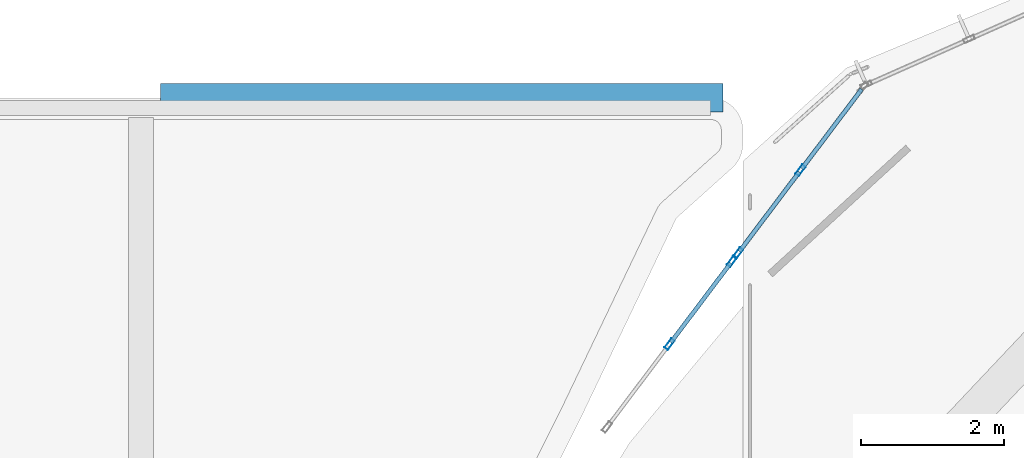
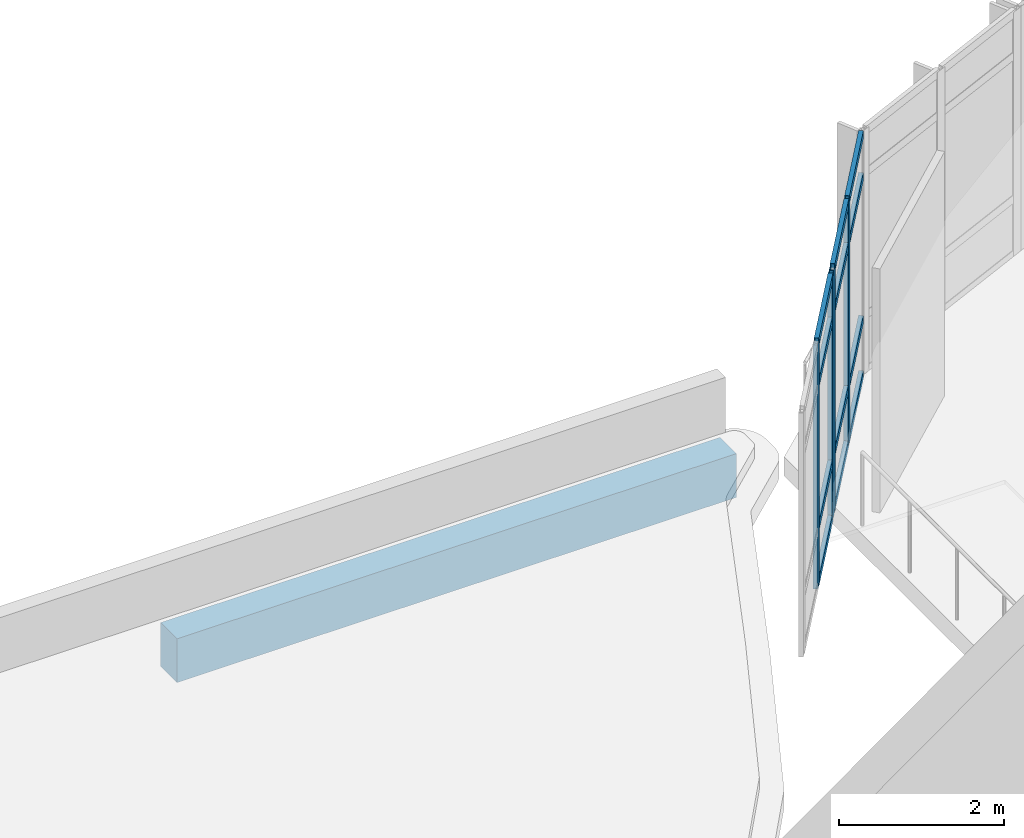
# One storey, part 37 of 74: 16 members, 1 beam, 2 elements without a shape of their own.
"""IFC4 building model written with IfcOpenShell, lengths in metres."""

from ifc_helpers import new_model, si_unit, derived_unit, direction, frame, origin, origin_2d, place, context, subcontext, project, spatial, rectangle, hollow_rectangle, extrude, material, layer, layer_set, material_profile, profile_set, type_object, element, aggregate, save


model = new_model("IFC4")

# Units and contexts
model_context = context("Model", 3, precision=1e-05, world=origin(), true_north=direction((0.0, 1.0)))
body_context = subcontext(model_context, "Body", "Model", "MODEL_VIEW")
ifc_project = project(units=[si_unit("LENGTHUNIT", "METRE"), si_unit("AREAUNIT", "SQUARE_METRE"), si_unit("VOLUMEUNIT", "CUBIC_METRE"), si_unit("PLANEANGLEUNIT", "RADIAN"), si_unit("MASSUNIT", "GRAM", prefix="KILO"), derived_unit("THERMALTRANSMITTANCEUNIT", [(si_unit("POWERUNIT", "WATT"), 1), (si_unit("LENGTHUNIT", "METRE"), -2), (si_unit("THERMODYNAMICTEMPERATUREUNIT", "KELVIN"), -1)])], contexts=[model_context])

# Site, building, storey
site_placement = place(None, origin())
site = spatial("IfcSite", under=ifc_project, at=site_placement, CompositionType="ELEMENT")
building_placement = place(site_placement, origin())
building = spatial("IfcBuilding", under=site, at=building_placement, Name="Elbkamm Science Centre", CompositionType="ELEMENT")
storey_placement = place(building_placement, frame((0.0, 0.0, 14.39990234375)))
storey = spatial("IfcBuildingStorey", under=building, at=storey_placement, Name="L03", CompositionType="ELEMENT", Elevation=14.39990234375)

# Beam
ifc_material_1 = material(Name="Concrete C40/50", Category="concrete")
ifc_material_profile_1 = material_profile(ifc_material_1, rectangle(XDim=0.39990234375, YDim=0.64990234375, at=origin_2d()), Name="RC 400x650")
ifc_profile_set_1 = profile_set([ifc_material_profile_1], Name="Concrete C40/50")
beam_type = type_object("IfcBeamType", Name="BM-RC-400x650", PredefinedType="BEAM", material=ifc_profile_set_1)
beam_placement = place(storey_placement, frame((33.875, 84.0, -0.594970703125), z_axis=(1.0, 0.0, 0.0), x_axis=(0.0, 1.0, 0.0)))
element("IfcBeam", 1, at=beam_placement, inside=storey, type_object=beam_type, Name="L03 Step-Back Primary X-Girder 006", PredefinedType="BEAM", context=body_context, shape_type="SweptSolid", body=[
    extrude(rectangle(XDim=0.39990234375, YDim=0.64990234375, at=origin_2d()), origin(), (0.0, 0.0, 1.0), 7.85009765625),
])

# Curtain wall, members
ifc_material_2 = material(Name="Powder-coated aluminium and triple low-E glazing", Category="aluminium")
ifc_layer = layer(ifc_material_2, 0.159912109375)
ifc_layer_set = layer_set([ifc_layer], Name="Powder-coated aluminium and triple low-E glazing")
curtain_wall_type = type_object("IfcCurtainWallType", Name="CW-UNIT-2960x3620", PredefinedType="USERDEFINED", material=ifc_layer_set)
curtain_wall_1_placement = place(storey_placement, origin())
curtain_wall_1 = element("IfcCurtainWall", 2, at=curtain_wall_1_placement, inside=storey, type_object=curtain_wall_type, Name="L03 Unitised Curtain Wall 063", ObjectType="UNITISED CURTAIN WALL", PredefinedType="USERDEFINED")
ifc_material_3 = material(Name="Powder-coated aluminium EN AW-6060", Category="aluminium")
ifc_material_profile_2 = material_profile(ifc_material_3, hollow_rectangle(XDim=0.06005859375, YDim=0.159912109375, WallThickness=0.00390625, at=origin_2d()), Name="ALU M60x160")
ifc_profile_set_2 = profile_set([ifc_material_profile_2], Name="Powder-coated aluminium EN AW-6060")
member_type_1 = type_object("IfcMemberType", Name="CW-MUL-60x160", PredefinedType="MULLION", material=ifc_profile_set_2)
member_1_placement = place(storey_placement, frame((42.804931640625, 82.98876953125, 0.0), z_axis=(0.0, 0.0, 1.0), x_axis=(0.798585651148, -0.601881182445, 0.0)))
member_1 = element("IfcMember", 3, at=member_1_placement, type_object=member_type_1, Name="CW-022 mullion 2", PredefinedType="MULLION", context=body_context, shape_type="SweptSolid", body=[
    extrude(hollow_rectangle(XDim=0.06005859375, YDim=0.159912109375, WallThickness=0.00390625, at=origin_2d()), origin(), (0.0, 0.0, 1.0), 3.6201171875),
])
member_2_placement = place(storey_placement, frame((41.93310546875, 81.83203125, 0.0), z_axis=(0.0, 0.0, 1.0), x_axis=(0.798585651148, -0.601881182445, 0.0)))
member_2 = element("IfcMember", 4, at=member_2_placement, type_object=member_type_1, Name="CW-022 mullion 3", PredefinedType="MULLION", context=body_context, shape_type="SweptSolid", body=[
    extrude(hollow_rectangle(XDim=0.06005859375, YDim=0.159912109375, WallThickness=0.00390625, at=origin_2d()), origin(), (0.0, 0.0, 1.0), 3.6201171875),
])

curtain_wall_2_placement = place(storey_placement, origin())
curtain_wall_2 = element("IfcCurtainWall", 5, at=curtain_wall_2_placement, inside=storey, type_object=curtain_wall_type, Name="L03 Unitised Curtain Wall 064", ObjectType="UNITISED CURTAIN WALL", PredefinedType="USERDEFINED")
member_3_placement = place(storey_placement, frame((41.8486328125, 81.72021484375, 0.0), z_axis=(0.0, 0.0, 1.0), x_axis=(0.798585651148, -0.601881182445, 0.0)))
member_3 = element("IfcMember", 6, at=member_3_placement, type_object=member_type_1, Name="CW-022 mullion 1", PredefinedType="MULLION", context=body_context, shape_type="SweptSolid", body=[
    extrude(hollow_rectangle(XDim=0.06005859375, YDim=0.159912109375, WallThickness=0.00390625, at=origin_2d()), origin(), (0.0, 0.0, 1.0), 3.6201171875),
])
member_4_placement = place(storey_placement, frame((40.976806640625, 80.563232421875, 0.0), z_axis=(0.0, 0.0, 1.0), x_axis=(0.798585651148, -0.601881182445, 0.0)))
member_4 = element("IfcMember", 7, at=member_4_placement, type_object=member_type_1, Name="CW-022 mullion 2", PredefinedType="MULLION", context=body_context, shape_type="SweptSolid", body=[
    extrude(hollow_rectangle(XDim=0.06005859375, YDim=0.159912109375, WallThickness=0.00390625, at=origin_2d()), origin(), (0.0, 0.0, 1.0), 3.6201171875),
])

# Member
ifc_material_profile_3 = material_profile(ifc_material_3, hollow_rectangle(XDim=0.06005859375, YDim=0.1201171875, WallThickness=0.00341796875, at=origin_2d()), Name="ALU T60x120")
ifc_profile_set_3 = profile_set([ifc_material_profile_3], Name="Powder-coated aluminium EN AW-6060")
member_type_2 = type_object("IfcMemberType", Name="CW-TRN-60x120", PredefinedType="USERDEFINED", material=ifc_profile_set_3)
member_5_placement = place(storey_placement, frame((43.65869140625, 84.12158203125, 0.030029296875), z_axis=(-0.601855114948, -0.798605297135, 0.0), x_axis=(0.798605297135, -0.601855114948, 0.0)))
member_5 = element("IfcMember", 8, at=member_5_placement, type_object=member_type_2, Name="CW-022 transom 1.1", ObjectType="TRANSOM", PredefinedType="USERDEFINED", context=body_context, shape_type="SweptSolid", body=[
    extrude(hollow_rectangle(XDim=0.06005859375, YDim=0.1201171875, WallThickness=0.00341796875, at=origin_2d()), origin(), (0.0, 0.0, 1.0), 1.388427734375),
])

member_6_placement = place(storey_placement, frame((43.65869140625, 84.12158203125, 0.85009765625), z_axis=(-0.601855114948, -0.798605297135, 0.0), x_axis=(0.798605297135, -0.601855114948, 0.0)))
member_6 = element("IfcMember", 9, at=member_6_placement, type_object=member_type_2, Name="CW-022 transom 1.2", ObjectType="TRANSOM", PredefinedType="USERDEFINED", context=body_context, shape_type="SweptSolid", body=[
    extrude(hollow_rectangle(XDim=0.06005859375, YDim=0.1201171875, WallThickness=0.00341796875, at=origin_2d()), origin(), (0.0, 0.0, 1.0), 1.388427734375),
])

member_7_placement = place(storey_placement, frame((43.65869140625, 84.12158203125, 2.97021484375), z_axis=(-0.601855114948, -0.798605297135, 0.0), x_axis=(0.798605297135, -0.601855114948, 0.0)))
member_7 = element("IfcMember", 10, at=member_7_placement, type_object=member_type_2, Name="CW-022 transom 1.3", ObjectType="TRANSOM", PredefinedType="USERDEFINED", context=body_context, shape_type="SweptSolid", body=[
    extrude(hollow_rectangle(XDim=0.06005859375, YDim=0.1201171875, WallThickness=0.00341796875, at=origin_2d()), origin(), (0.0, 0.0, 1.0), 1.388427734375),
])

member_8_placement = place(storey_placement, frame((43.65869140625, 84.12158203125, 3.590087890625), z_axis=(-0.601855114948, -0.798605297135, 0.0), x_axis=(0.798605297135, -0.601855114948, 0.0)))
member_8 = element("IfcMember", 11, at=member_8_placement, type_object=member_type_2, Name="CW-022 transom 1.4", ObjectType="TRANSOM", PredefinedType="USERDEFINED", context=body_context, shape_type="SweptSolid", body=[
    extrude(hollow_rectangle(XDim=0.06005859375, YDim=0.1201171875, WallThickness=0.00341796875, at=origin_2d()), origin(), (0.0, 0.0, 1.0), 1.388427734375),
])

member_9_placement = place(storey_placement, frame((42.786865234375, 82.96484375, 0.030029296875), z_axis=(-0.601855114948, -0.798605297135, 0.0), x_axis=(0.798605297135, -0.601855114948, 0.0)))
member_9 = element("IfcMember", 12, at=member_9_placement, type_object=member_type_2, Name="CW-022 transom 2.1", ObjectType="TRANSOM", PredefinedType="USERDEFINED", context=body_context, shape_type="SweptSolid", body=[
    extrude(hollow_rectangle(XDim=0.06005859375, YDim=0.1201171875, WallThickness=0.00341796875, at=origin_2d()), origin(), (0.0, 0.0, 1.0), 1.388427734375),
])

member_10_placement = place(storey_placement, frame((42.786865234375, 82.96484375, 0.85009765625), z_axis=(-0.601855114948, -0.798605297135, 0.0), x_axis=(0.798605297135, -0.601855114948, 0.0)))
member_10 = element("IfcMember", 13, at=member_10_placement, type_object=member_type_2, Name="CW-022 transom 2.2", ObjectType="TRANSOM", PredefinedType="USERDEFINED", context=body_context, shape_type="SweptSolid", body=[
    extrude(hollow_rectangle(XDim=0.06005859375, YDim=0.1201171875, WallThickness=0.00341796875, at=origin_2d()), origin(), (0.0, 0.0, 1.0), 1.388427734375),
])

member_11_placement = place(storey_placement, frame((42.786865234375, 82.96484375, 2.97021484375), z_axis=(-0.601855114948, -0.798605297135, 0.0), x_axis=(0.798605297135, -0.601855114948, 0.0)))
member_11 = element("IfcMember", 14, at=member_11_placement, type_object=member_type_2, Name="CW-022 transom 2.3", ObjectType="TRANSOM", PredefinedType="USERDEFINED", context=body_context, shape_type="SweptSolid", body=[
    extrude(hollow_rectangle(XDim=0.06005859375, YDim=0.1201171875, WallThickness=0.00341796875, at=origin_2d()), origin(), (0.0, 0.0, 1.0), 1.388427734375),
])

member_12_placement = place(storey_placement, frame((42.786865234375, 82.96484375, 3.590087890625), z_axis=(-0.601855114948, -0.798605297135, 0.0), x_axis=(0.798605297135, -0.601855114948, 0.0)))
member_12 = element("IfcMember", 15, at=member_12_placement, type_object=member_type_2, Name="CW-022 transom 2.4", ObjectType="TRANSOM", PredefinedType="USERDEFINED", context=body_context, shape_type="SweptSolid", body=[
    extrude(hollow_rectangle(XDim=0.06005859375, YDim=0.1201171875, WallThickness=0.00341796875, at=origin_2d()), origin(), (0.0, 0.0, 1.0), 1.388427734375),
])

aggregate(curtain_wall_1, [member_1, member_2, member_5, member_6, member_7, member_8, member_9, member_10, member_11, member_12])

member_13_placement = place(storey_placement, frame((41.83056640625, 81.6962890625, 0.030029296875), z_axis=(-0.60177061323, -0.798668973388, 0.0), x_axis=(0.798668973388, -0.60177061323, 0.0)))
member_13 = element("IfcMember", 16, at=member_13_placement, type_object=member_type_2, Name="CW-022 transom 1.1", ObjectType="TRANSOM", PredefinedType="USERDEFINED", context=body_context, shape_type="SweptSolid", body=[
    extrude(hollow_rectangle(XDim=0.06005859375, YDim=0.1201171875, WallThickness=0.00341796875, at=origin_2d()), origin(), (0.0, 0.0, 1.0), 1.388671875),
])

member_14_placement = place(storey_placement, frame((41.83056640625, 81.6962890625, 0.85009765625), z_axis=(-0.60177061323, -0.798668973388, 0.0), x_axis=(0.798668973388, -0.60177061323, 0.0)))
member_14 = element("IfcMember", 17, at=member_14_placement, type_object=member_type_2, Name="CW-022 transom 1.2", ObjectType="TRANSOM", PredefinedType="USERDEFINED", context=body_context, shape_type="SweptSolid", body=[
    extrude(hollow_rectangle(XDim=0.06005859375, YDim=0.1201171875, WallThickness=0.00341796875, at=origin_2d()), origin(), (0.0, 0.0, 1.0), 1.388671875),
])

member_15_placement = place(storey_placement, frame((41.83056640625, 81.6962890625, 2.97021484375), z_axis=(-0.60177061323, -0.798668973388, 0.0), x_axis=(0.798668973388, -0.60177061323, 0.0)))
member_15 = element("IfcMember", 18, at=member_15_placement, type_object=member_type_2, Name="CW-022 transom 1.3", ObjectType="TRANSOM", PredefinedType="USERDEFINED", context=body_context, shape_type="SweptSolid", body=[
    extrude(hollow_rectangle(XDim=0.06005859375, YDim=0.1201171875, WallThickness=0.00341796875, at=origin_2d()), origin(), (0.0, 0.0, 1.0), 1.388671875),
])

member_16_placement = place(storey_placement, frame((41.83056640625, 81.6962890625, 3.590087890625), z_axis=(-0.60177061323, -0.798668973388, 0.0), x_axis=(0.798668973388, -0.60177061323, 0.0)))
member_16 = element("IfcMember", 19, at=member_16_placement, type_object=member_type_2, Name="CW-022 transom 1.4", ObjectType="TRANSOM", PredefinedType="USERDEFINED", context=body_context, shape_type="SweptSolid", body=[
    extrude(hollow_rectangle(XDim=0.06005859375, YDim=0.1201171875, WallThickness=0.00341796875, at=origin_2d()), origin(), (0.0, 0.0, 1.0), 1.388671875),
])

aggregate(curtain_wall_2, [member_3, member_4, member_13, member_14, member_15, member_16])

save(model, "model.ifc")
